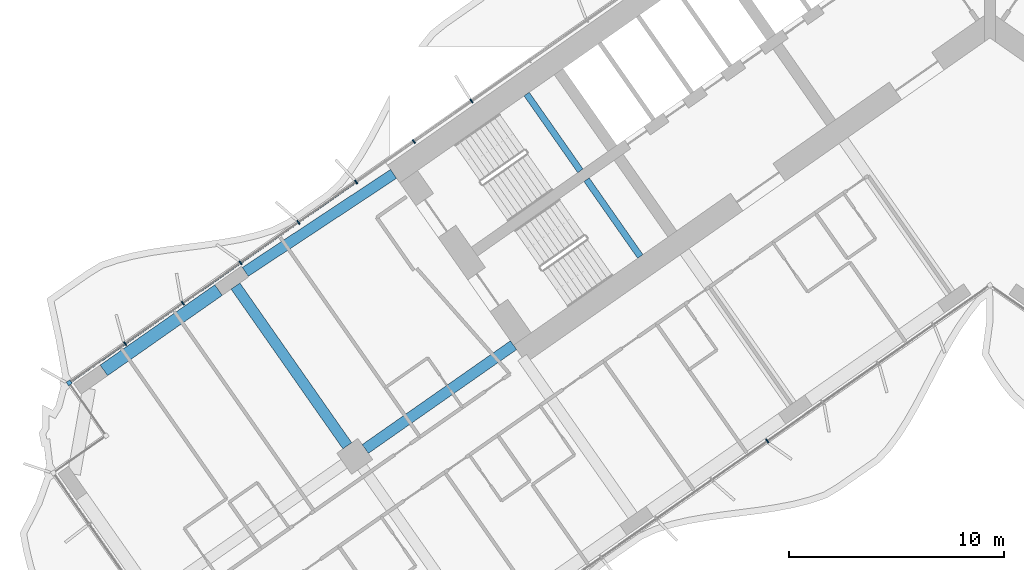
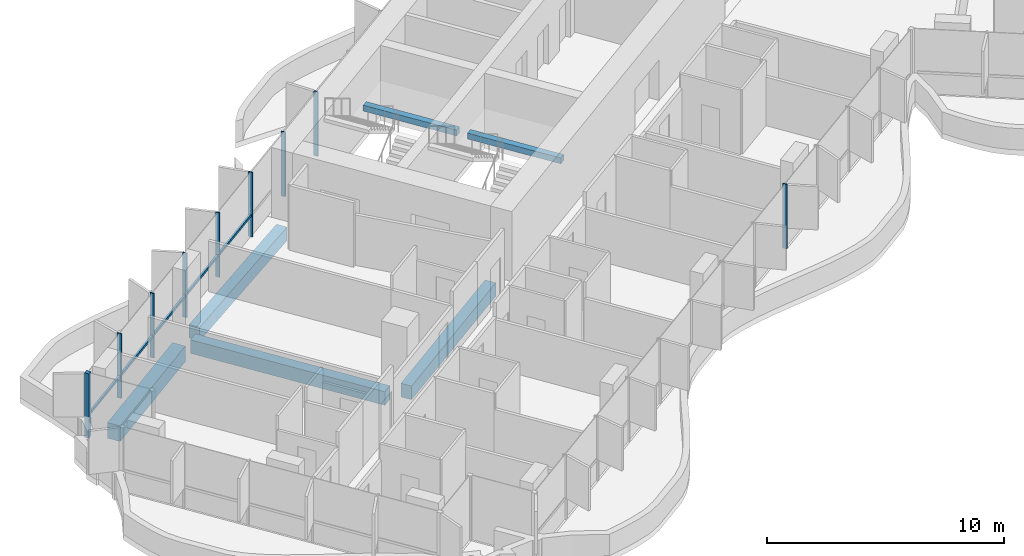
# One storey, part 4 of 25: 10 members, 6 beams, 2 elements without a shape of their own.
"""IFC4 building model written with IfcOpenShell, lengths in metres."""

from ifc_helpers import new_model, si_unit, direction, frame, origin, origin_2d, place, context, subcontext, project, spatial, rectangle, extrude, material, material_profile, profile_set, type_object, element, aggregate, save


model = new_model("IFC4")

# Units and contexts
model_context = context("Model", 3, precision=1e-05, world=origin(), true_north=direction((0.0, 1.0)))
body_context = subcontext(model_context, "Body", "Model", "MODEL_VIEW")
ifc_project = project(units=[si_unit("LENGTHUNIT", "METRE"), si_unit("AREAUNIT", "SQUARE_METRE"), si_unit("VOLUMEUNIT", "CUBIC_METRE"), si_unit("PLANEANGLEUNIT", "RADIAN"), si_unit("MASSUNIT", "GRAM", prefix="KILO")], contexts=[model_context])

# Site, building, storey
site_placement = place(None, origin())
site = spatial("IfcSite", under=ifc_project, at=site_placement, CompositionType="ELEMENT")
building_placement = place(site_placement, origin())
building = spatial("IfcBuilding", under=site, at=building_placement, Name="Tel Ilan Convention Tower", CompositionType="ELEMENT")
storey_placement = place(building_placement, frame((0.0, 0.0, 61.699951171875)))
storey = spatial("IfcBuildingStorey", under=building, at=storey_placement, Name="L10", CompositionType="ELEMENT", Elevation=61.699951171875)

# Beams
ifc_material_1 = material(Name="Concrete C40/50", Category="concrete")
ifc_material_profile_1 = material_profile(ifc_material_1, rectangle(XDim=0.5, YDim=0.699951171875, at=origin_2d()), Name="RC 500x700")
ifc_profile_set_1 = profile_set([ifc_material_profile_1], Name="Concrete C40/50")
beam_type_1 = type_object("IfcBeamType", Name="Beam RC 500x700 Concrete C40/50", PredefinedType="BEAM", material=ifc_profile_set_1)
beam_1_placement = place(storey_placement, frame((-34.570556640625, -12.08447265625, -0.6298828125), z_axis=(0.834273603487, 0.551350663847, 0.0), x_axis=(-0.551350663847, 0.834273603487, 0.0)))
element("IfcBeam", 1, at=beam_1_placement, inside=storey, type_object=beam_type_1, Name="L10 beam W-W-B4-core", PredefinedType="BEAM", context=body_context, shape_type="SweptSolid", body=[
    extrude(rectangle(XDim=0.5, YDim=0.699951171875, at=origin_2d()), origin(), (0.0, 0.0, 1.0), 8.2529296875),
])
beam_2_placement = place(storey_placement, frame((-22.1171875, -15.486572265625, -0.6298828125), z_axis=(-0.819147254605, -0.573583276668, 0.0), x_axis=(0.573583276668, -0.819147254605, 0.0)))
element("IfcBeam", 2, at=beam_2_placement, inside=storey, type_object=beam_type_1, Name="L10 beam W-core-W-M4", PredefinedType="BEAM", context=body_context, shape_type="SweptSolid", body=[
    extrude(rectangle(XDim=0.5, YDim=0.699951171875, at=origin_2d()), origin(), (0.0, 0.0, 1.0), 8.400146484375),
])
beam_3_placement = place(storey_placement, frame((-29.83349609375, -20.1572265625, -0.6298828125), z_axis=(-0.57358002233, 0.819149533348, 0.0), x_axis=(-0.819149533348, -0.57358002233, 0.0)))
element("IfcBeam", 3, at=beam_3_placement, inside=storey, type_object=beam_type_1, Name="L10 beam W-W-M4-W-B4", PredefinedType="BEAM", context=body_context, shape_type="SweptSolid", body=[
    extrude(rectangle(XDim=0.5, YDim=0.699951171875, at=origin_2d()), origin(), (0.0, 0.0, 1.0), 9.050048828125),
])
ifc_material_2 = material(Name="Concrete C40/50", Category="concrete")
ifc_material_profile_2 = material_profile(ifc_material_2, rectangle(XDim=0.60009765625, YDim=0.800048828125, at=origin_2d()), Name="RC 600x800")
ifc_profile_set_2 = profile_set([ifc_material_profile_2], Name="Concrete C40/50")
beam_type_2 = type_object("IfcBeamType", Name="Beam RC 600x800 Concrete C40/50", PredefinedType="BEAM", material=ifc_profile_set_2)
beam_4_placement = place(storey_placement, frame((-41.135498046875, -16.656494140625, -0.679931640625), z_axis=(0.819178980414, 0.573537965655, 0.0), x_axis=(-0.573537965655, 0.819178980414, 0.0)))
element("IfcBeam", 4, at=beam_4_placement, inside=storey, type_object=beam_type_2, Name="L10 beam W-W-BC-W-B4", PredefinedType="BEAM", context=body_context, shape_type="SweptSolid", body=[
    extrude(rectangle(XDim=0.60009765625, YDim=0.800048828125, at=origin_2d()), origin(), (0.0, 0.0, 1.0), 6.5),
])

# Curtain wall, member
ifc_material_3 = material(Name="Aluminium, bronze anodised", Category="aluminium")
curtain_wall_type_1 = type_object("IfcCurtainWallType", Name="CW1 UNITISED CURTAIN WALL, HOTEL TINTED GLASS", PredefinedType="NOTDEFINED", material=ifc_material_3)
curtain_wall_1_placement = place(storey_placement, origin())
curtain_wall_1 = element("IfcCurtainWall", 5, at=curtain_wall_1_placement, inside=storey, type_object=curtain_wall_type_1, Name="Curtain wall CW1-11.02", PredefinedType="NOTDEFINED")
ifc_material_4 = material(Name="Aluminium, bronze anodised", Category="aluminium")
ifc_material_profile_3 = material_profile(ifc_material_4, rectangle(XDim=0.199951171875, YDim=0.199951171875, at=origin_2d()), Name="CW CORNER MULLION 200x200")
ifc_profile_set_3 = profile_set([ifc_material_profile_3], Name="Aluminium, bronze anodised")
member_type_1 = type_object("IfcMemberType", Name="CW CORNER MULLION 200x200", PredefinedType="MULLION", material=ifc_profile_set_3)
member_1_placement = place(storey_placement, frame((-42.7451171875, -17.234375, 0.0), z_axis=(0.0, 0.0, 1.0), x_axis=(-0.819152044289, -0.573576436351, 0.0)))
member_1 = element("IfcMember", 6, at=member_1_placement, type_object=member_type_1, Name="Corner mullion", PredefinedType="MULLION", context=body_context, shape_type="SweptSolid", body=[
    extrude(rectangle(XDim=0.199951171875, YDim=0.199951171875, at=origin_2d()), origin(), (0.0, 0.0, 1.0), 3.320068359375),
])

# Curtain wall, members
ifc_material_5 = material(Name="Aluminium, bronze anodised", Category="aluminium")
curtain_wall_type_2 = type_object("IfcCurtainWallType", Name="CW2 STICK CURTAIN WALL, SPANDREL PANELS", PredefinedType="NOTDEFINED", material=ifc_material_5)
curtain_wall_2_placement = place(storey_placement, origin())
curtain_wall_2 = element("IfcCurtainWall", 7, at=curtain_wall_2_placement, inside=storey, type_object=curtain_wall_type_2, Name="Curtain wall CW2-11.01", PredefinedType="NOTDEFINED")
ifc_material_6 = material(Name="Aluminium, bronze anodised", Category="aluminium")
ifc_material_profile_4 = material_profile(ifc_material_6, rectangle(XDim=0.06005859375, YDim=0.199951171875, at=origin_2d()), Name="CW MULLION 60x200")
ifc_profile_set_4 = profile_set([ifc_material_profile_4], Name="Aluminium, bronze anodised")
member_type_2 = type_object("IfcMemberType", Name="CW MULLION 60x200", PredefinedType="MULLION", material=ifc_profile_set_4)
member_2_placement = place(storey_placement, frame((-24.065185546875, -4.154541015625, 0.0), z_axis=(0.0, 0.0, 1.0), x_axis=(-0.819152044289, -0.573576436351, 0.0)))
member_2 = element("IfcMember", 8, at=member_2_placement, type_object=member_type_2, Name="Mullion", PredefinedType="MULLION", context=body_context, shape_type="SweptSolid", body=[
    extrude(rectangle(XDim=0.06005859375, YDim=0.199951171875, at=origin_2d()), origin(), (0.0, 0.0, 1.0), 3.320068359375),
])
member_3_placement = place(storey_placement, frame((-26.745361328125, -6.03125, 0.0), z_axis=(0.0, 0.0, 1.0), x_axis=(-0.819152044289, -0.573576436351, 0.0)))
member_3 = element("IfcMember", 9, at=member_3_placement, type_object=member_type_2, Name="Mullion", PredefinedType="MULLION", context=body_context, shape_type="SweptSolid", body=[
    extrude(rectangle(XDim=0.06005859375, YDim=0.199951171875, at=origin_2d()), origin(), (0.0, 0.0, 1.0), 3.320068359375),
])
member_4_placement = place(storey_placement, frame((-29.42578125, -7.907958984375, 0.0), z_axis=(0.0, 0.0, 1.0), x_axis=(-0.819152044289, -0.573576436351, 0.0)))
member_4 = element("IfcMember", 10, at=member_4_placement, type_object=member_type_2, Name="Mullion", PredefinedType="MULLION", context=body_context, shape_type="SweptSolid", body=[
    extrude(rectangle(XDim=0.06005859375, YDim=0.199951171875, at=origin_2d()), origin(), (0.0, 0.0, 1.0), 3.320068359375),
])
aggregate(curtain_wall_2, [member_2, member_3, member_4])

# Member
member_5_placement = place(storey_placement, frame((-32.10595703125, -9.78466796875, 0.0), z_axis=(0.0, 0.0, 1.0), x_axis=(-0.819152044289, -0.573576436351, 0.0)))
member_5 = element("IfcMember", 11, at=member_5_placement, type_object=member_type_2, Name="Mullion", PredefinedType="MULLION", context=body_context, shape_type="SweptSolid", body=[
    extrude(rectangle(XDim=0.06005859375, YDim=0.199951171875, at=origin_2d()), origin(), (0.0, 0.0, 1.0), 3.320068359375),
])

member_6_placement = place(storey_placement, frame((-34.7861328125, -11.66162109375, 0.0), z_axis=(0.0, 0.0, 1.0), x_axis=(-0.819152044289, -0.573576436351, 0.0)))
member_6 = element("IfcMember", 12, at=member_6_placement, type_object=member_type_2, Name="Mullion", PredefinedType="MULLION", context=body_context, shape_type="SweptSolid", body=[
    extrude(rectangle(XDim=0.06005859375, YDim=0.199951171875, at=origin_2d()), origin(), (0.0, 0.0, 1.0), 3.320068359375),
])

member_7_placement = place(storey_placement, frame((-37.466552734375, -13.538330078125, 0.0), z_axis=(0.0, 0.0, 1.0), x_axis=(-0.819152044289, -0.573576436351, 0.0)))
member_7 = element("IfcMember", 13, at=member_7_placement, type_object=member_type_2, Name="Mullion", PredefinedType="MULLION", context=body_context, shape_type="SweptSolid", body=[
    extrude(rectangle(XDim=0.06005859375, YDim=0.199951171875, at=origin_2d()), origin(), (0.0, 0.0, 1.0), 3.320068359375),
])

member_8_placement = place(storey_placement, frame((-40.146728515625, -15.4150390625, 0.0), z_axis=(0.0, 0.0, 1.0), x_axis=(-0.819152044289, -0.573576436351, 0.0)))
member_8 = element("IfcMember", 14, at=member_8_placement, type_object=member_type_2, Name="Mullion", PredefinedType="MULLION", context=body_context, shape_type="SweptSolid", body=[
    extrude(rectangle(XDim=0.06005859375, YDim=0.199951171875, at=origin_2d()), origin(), (0.0, 0.0, 1.0), 3.320068359375),
])

member_9_placement = place(storey_placement, frame((-10.337158203125, -19.93408203125, 0.0), z_axis=(0.0, 0.0, 1.0), x_axis=(0.819152044289, 0.573576436351, 0.0)))
member_9 = element("IfcMember", 15, at=member_9_placement, type_object=member_type_2, Name="Mullion", PredefinedType="MULLION", context=body_context, shape_type="SweptSolid", body=[
    extrude(rectangle(XDim=0.06005859375, YDim=0.199951171875, at=origin_2d()), origin(), (0.0, 0.0, 1.0), 3.320068359375),
])

ifc_material_7 = material(Name="Aluminium, bronze anodised", Category="aluminium")
ifc_material_profile_5 = material_profile(ifc_material_7, rectangle(XDim=0.10009765625, YDim=0.1201171875, at=origin_2d()), Name="CW TRANSOM 100x120")
ifc_profile_set_5 = profile_set([ifc_material_profile_5], Name="Aluminium, bronze anodised")
member_type_3 = type_object("IfcMemberType", Name="CW TRANSOM 100x120", PredefinedType="USERDEFINED", material=ifc_profile_set_5)
member_10_placement = place(storey_placement, frame((-29.4501953125, -7.92529296875, 1.10009765625), z_axis=(-0.819153693934, -0.573574080407, 0.0), x_axis=(0.573574080407, -0.819153693934, 0.0)))
member_10 = element("IfcMember", 16, at=member_10_placement, type_object=member_type_3, Name="Transom", ObjectType="TRANSOM", PredefinedType="USERDEFINED", context=body_context, shape_type="SweptSolid", body=[
    extrude(rectangle(XDim=0.10009765625, YDim=0.1201171875, at=origin_2d()), origin(), (0.0, 0.0, 1.0), 16.1298828125),
])

aggregate(curtain_wall_1, [member_5, member_6, member_7, member_8, member_1, member_10, member_9])

# Beams
ifc_material_8 = material(Name="Concrete C40/50", Category="concrete")
ifc_material_profile_6 = material_profile(ifc_material_8, rectangle(XDim=0.300048828125, YDim=0.300048828125, at=origin_2d()), Name="RC 300x300")
ifc_profile_set_6 = profile_set([ifc_material_profile_6], Name="Concrete C40/50")
beam_type_3 = type_object("IfcBeamType", Name="Landing Beam RC 300x300 Concrete C40/50", PredefinedType="BEAM", material=ifc_profile_set_6)
beam_5_placement = place(storey_placement, frame((-19.013671875, -7.392822265625, 1.449951171875), z_axis=(-0.57356780395, 0.819158088694, 0.0), x_axis=(-0.819158088694, -0.57356780395, 0.0)))
element("IfcBeam", 17, at=beam_5_placement, inside=storey, type_object=beam_type_3, Name="S1 landing beam L10.1", PredefinedType="BEAM", context=body_context, shape_type="SweptSolid", body=[
    extrude(rectangle(XDim=0.300048828125, YDim=0.300048828125, at=origin_2d()), origin(), (0.0, 0.0, 1.0), 4.35009765625),
])
beam_6_placement = place(storey_placement, frame((-16.231689453125, -11.365478515625, 1.449951171875), z_axis=(-0.573594173421, 0.819139624372, 0.0), x_axis=(-0.819139624372, -0.573594173421, 0.0)))
element("IfcBeam", 18, at=beam_6_placement, inside=storey, type_object=beam_type_3, Name="S2 landing beam L10.1", PredefinedType="BEAM", context=body_context, shape_type="SweptSolid", body=[
    extrude(rectangle(XDim=0.300048828125, YDim=0.300048828125, at=origin_2d()), origin(), (0.0, 0.0, 1.0), 4.349853515625),
])

save(model, "model.ifc")
